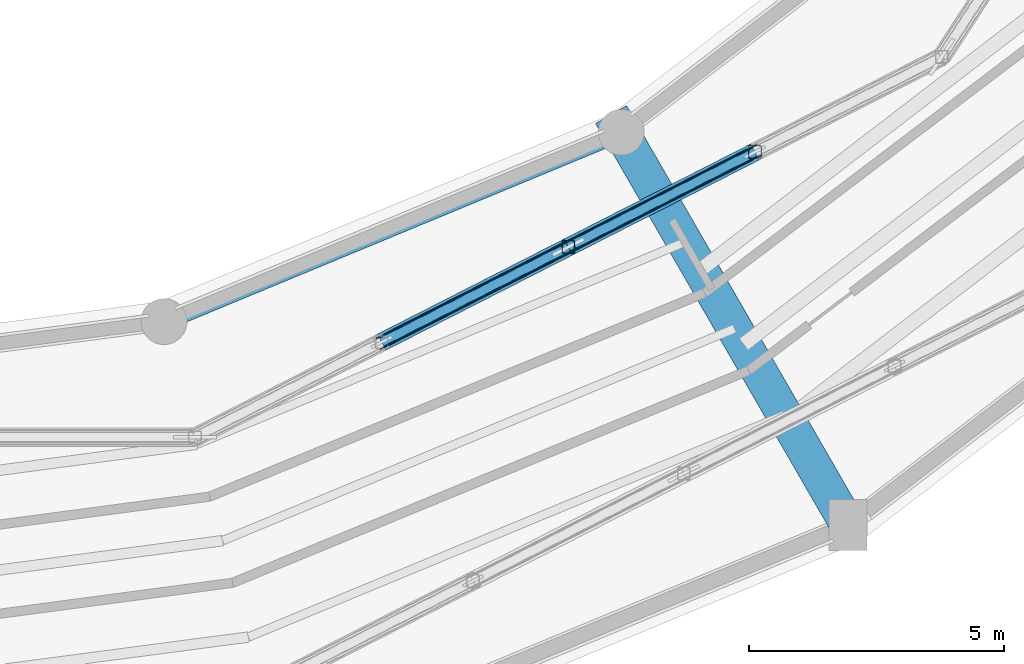
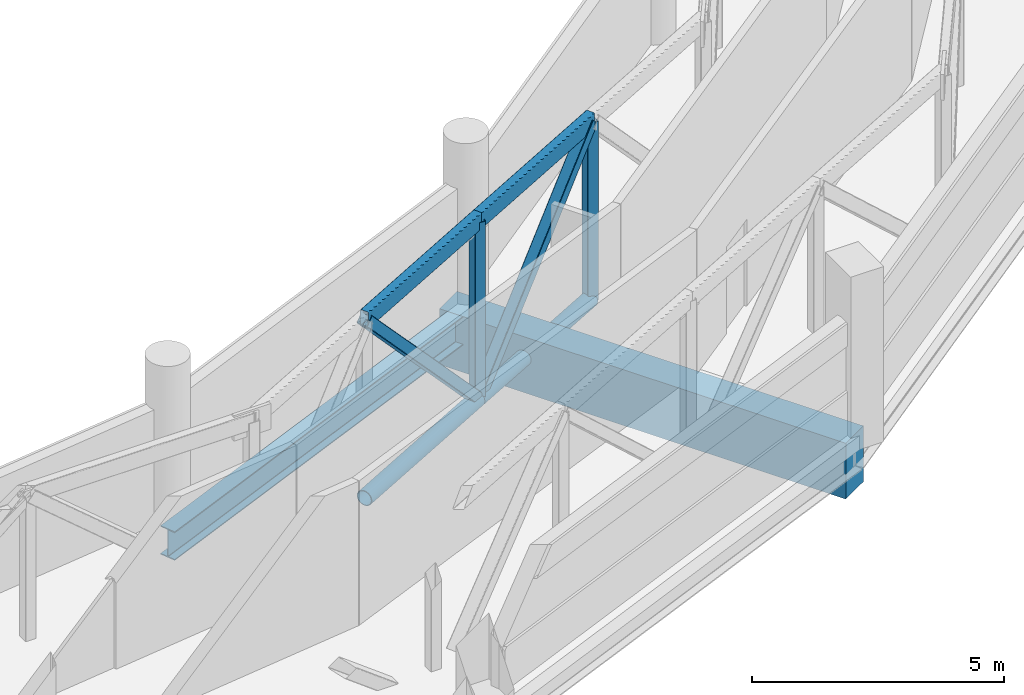
# One storey, part 28 of 121: 8 members, 2 beams.
"""IFC4 building model written with IfcOpenShell, lengths in metres."""

from ifc_helpers import new_model, si_unit, direction, frame, origin, origin_2d, place, context, subcontext, project, spatial, rectangle, hollow_rectangle, hollow_circle, i_section, extrude, material, material_profile, profile_set, type_object, element, save


model = new_model("IFC4")

# Units and contexts
model_context = context("Model", 3, precision=1e-05, world=origin(), true_north=direction((0.0, 1.0)))
body_context = subcontext(model_context, "Body", "Model", "MODEL_VIEW")
ifc_project = project(units=[si_unit("LENGTHUNIT", "METRE"), si_unit("AREAUNIT", "SQUARE_METRE"), si_unit("VOLUMEUNIT", "CUBIC_METRE"), si_unit("PLANEANGLEUNIT", "RADIAN"), si_unit("MASSUNIT", "GRAM", prefix="KILO")], contexts=[model_context])

# Site, building, storey
site_placement = place(None, origin())
site = spatial("IfcSite", under=ifc_project, at=site_placement, CompositionType="ELEMENT")
building_placement = place(site_placement, origin())
building = spatial("IfcBuilding", under=site, at=building_placement, Name="Vespera Passage Community Centre", CompositionType="ELEMENT")
storey_placement = place(building_placement, frame((0.0, 0.0, 8.699951171875)))
storey = spatial("IfcBuildingStorey", under=building, at=storey_placement, Name="L02", CompositionType="ELEMENT", Elevation=8.699951171875)

# Members
ifc_material_1 = material(Name="Steel ASTM A500 Grade C", Category="steel")
ifc_material_profile_1 = material_profile(ifc_material_1, hollow_circle(Radius=0.177734375, WallThickness=0.014892578125, at=origin_2d()), Name="CHS356X15.9")
ifc_profile_set_1 = profile_set([ifc_material_profile_1], Name="Steel ASTM A500 Grade C")
member_type_1 = type_object("IfcMemberType", Name="BC-356", PredefinedType="CHORD", material=ifc_profile_set_1)
for number, where, z_axis, x_axis, name in (
    (1, (91.899658203125, 29.164306640625, -0.849853515625), (0.891016837526, 0.453970258106, 0.0), (-0.453970258106, 0.891016837526, 0.0), "BC-356 Transfer Truss Chord TR4I.2"),
    (2, (95.56298828125, 31.03076171875, -0.849853515625), (0.891016837526, 0.453970258106, 0.0), (-0.453970258106, 0.891016837526, 0.0), "BC-356 Transfer Truss Chord TR4I.3"),
):
    element("IfcMember", number, at=place(storey_placement, frame(where, z_axis=z_axis, x_axis=x_axis)), inside=storey, type_object=member_type_1, Name=name, PredefinedType="CHORD", context=body_context, shape_type="SweptSolid", body=[
        extrude(hollow_circle(Radius=0.177734375, WallThickness=0.014892578125, at=origin_2d()), origin(), (0.0, 0.0, 1.0), 4.111328125),
    ])

# Beam
ifc_material_2 = material(Name="Steel ASTM A992 Grade 50", Category="steel")
ifc_material_profile_2 = material_profile(ifc_material_2, i_section(OverallWidth=0.3544921875, OverallDepth=0.695556640625, WebThickness=0.015380859375, FlangeThickness=0.024658203125, FilletRadius=0.01513671875, at=origin_2d()), Name="W27X146")
ifc_profile_set_2 = profile_set([ifc_material_profile_2], Name="Steel ASTM A992 Grade 50")
beam_type_1 = type_object("IfcBeamType", Name="BM-SP-W27X146E", PredefinedType="SPANDREL", material=ifc_profile_set_2)
beam_1_placement = place(storey_placement, frame((87.628173828125, 29.567626953125, -0.687744140625), z_axis=(0.923878947685, 0.382684844258, 0.0), x_axis=(-0.382684844258, 0.923878947685, 0.0)))
element("IfcBeam", 3, at=beam_1_placement, inside=storey, type_object=beam_type_1, Name="V4 L02 Inner Spandrel 19", PredefinedType="SPANDREL", context=body_context, shape_type="SweptSolid", body=[
    extrude(i_section(OverallWidth=0.3544921875, OverallDepth=0.695556640625, WebThickness=0.015380859375, FlangeThickness=0.024658203125, FilletRadius=0.01513671875, at=origin_2d()), origin(), (0.0, 0.0, 1.0), 9.711181640625),
])

# Members
ifc_material_3 = material(Name="Steel ASTM A500 Grade C", Category="steel")
ifc_material_profile_3 = material_profile(ifc_material_3, hollow_rectangle(XDim=0.203125, YDim=0.406494140625, WallThickness=0.014892578125, InnerFilletRadius=0.014892578125, OuterFilletRadius=0.029541015625, at=origin_2d()), Name="HSS406X203X15.9")
ifc_profile_set_3 = profile_set([ifc_material_profile_3], Name="Steel ASTM A500 Grade C")
member_type_2 = type_object("IfcMemberType", Name="TC-406", PredefinedType="CHORD", material=ifc_profile_set_3)
for number, where, z_axis, x_axis, name in (
    (4, (91.899658203125, 29.164306640625, 3.47998046875), (0.891016837526, 0.453970258106, 0.0), (-0.453970258106, 0.891016837526, 0.0), "TC-406 Transfer Truss Chord TR4I.2"),
    (5, (95.56298828125, 31.03076171875, 3.47998046875), (0.891016837526, 0.453970258106, 0.0), (-0.453970258106, 0.891016837526, 0.0), "TC-406 Transfer Truss Chord TR4I.3"),
):
    element("IfcMember", number, at=place(storey_placement, frame(where, z_axis=z_axis, x_axis=x_axis)), inside=storey, type_object=member_type_2, Name=name, PredefinedType="CHORD", context=body_context, shape_type="SweptSolid", body=[
        extrude(hollow_rectangle(XDim=0.203125, YDim=0.406494140625, WallThickness=0.014892578125, InnerFilletRadius=0.014892578125, OuterFilletRadius=0.029541015625, at=origin_2d()), origin(), (0.0, 0.0, 1.0), 4.111328125),
    ])
ifc_material_4 = material(Name="Steel ASTM A500 Grade C", Category="steel")
ifc_material_profile_4 = material_profile(ifc_material_4, hollow_rectangle(XDim=0.25390625, YDim=0.25390625, WallThickness=0.01171875, InnerFilletRadius=0.01171875, OuterFilletRadius=0.023681640625, at=origin_2d()), Name="HSS254X254X12.7")
ifc_profile_set_4 = profile_set([ifc_material_profile_4], Name="Steel ASTM A500 Grade C")
member_type_3 = type_object("IfcMemberType", Name="TD-254", PredefinedType="BRACE", material=ifc_profile_set_4)
for number, where, z_axis, x_axis, name in (
    (6, (91.899658203125, 29.164306640625, 3.47998046875), (0.613535305972, 0.312594296178, -0.72516152292), (-0.453970258106, 0.891016837526, 0.0), "TD-254 Transfer Truss Diagonal TR4I.2"),
    (7, (95.56298828125, 31.03076171875, -0.849853515625), (0.613535305972, 0.312594296178, 0.72516152292), (-0.453970258106, 0.891016837526, 0.0), "TD-254 Transfer Truss Diagonal TR4I.3"),
):
    element("IfcMember", number, at=place(storey_placement, frame(where, z_axis=z_axis, x_axis=x_axis)), inside=storey, type_object=member_type_3, Name=name, PredefinedType="BRACE", context=body_context, shape_type="SweptSolid", body=[
        extrude(hollow_rectangle(XDim=0.25390625, YDim=0.25390625, WallThickness=0.01171875, InnerFilletRadius=0.01171875, OuterFilletRadius=0.023681640625, at=origin_2d()), origin(), (0.0, 0.0, 1.0), 5.970947265625),
    ])

# Beam
ifc_material_5 = material(Name="Concrete f'c 45 MPa", Category="concrete")
ifc_material_profile_5 = material_profile(ifc_material_5, rectangle(XDim=0.699951171875, YDim=1.35009765625, at=origin_2d()), Name="RC700X1350")
ifc_profile_set_5 = profile_set([ifc_material_profile_5], Name="Concrete f'c 45 MPa")
beam_type_2 = type_object("IfcBeamType", Name="TG-1350", PredefinedType="USERDEFINED", material=ifc_profile_set_5)
beam_2_placement = place(storey_placement, frame((96.39990234375, 33.63037109375, -1.014892578125), z_axis=(0.500004225487, -0.866022964185, 0.0), x_axis=(0.866022964185, 0.500004225487, 0.0)))
element("IfcBeam", 8, at=beam_2_placement, inside=storey, type_object=beam_type_2, Name="V4 L02 Radial Transfer Girder 20", ObjectType="TRANSFER GIRDER", PredefinedType="USERDEFINED", context=body_context, shape_type="SweptSolid", body=[
    extrude(rectangle(XDim=0.699951171875, YDim=1.35009765625, at=origin_2d()), origin(), (0.0, 0.0, 1.0), 9.30029296875),
])

# Members
ifc_material_6 = material(Name="Steel ASTM A500 Grade C", Category="steel")
ifc_material_profile_6 = material_profile(ifc_material_6, hollow_rectangle(XDim=0.25390625, YDim=0.25390625, WallThickness=0.01171875, InnerFilletRadius=0.01171875, OuterFilletRadius=0.023681640625, at=origin_2d()), Name="HSS254X254X12.7")
ifc_profile_set_6 = profile_set([ifc_material_profile_6], Name="Steel ASTM A500 Grade C")
member_type_4 = type_object("IfcMemberType", Name="TP-254", PredefinedType="POST", material=ifc_profile_set_6)
for number, where, z_axis, x_axis, name in (
    (9, (95.56298828125, 31.03076171875, -0.849853515625), (0.0, 0.0, 1.0), (1.0, 0.0, 0.0), "Truss TR4I Vertical Post 3"),
    (10, (99.226318359375, 32.897216796875, -0.849853515625), (0.0, 0.0, 1.0), (1.0, 0.0, 0.0), "Truss TR4I Vertical Post 4"),
):
    element("IfcMember", number, at=place(storey_placement, frame(where, z_axis=z_axis, x_axis=x_axis)), inside=storey, type_object=member_type_4, Name=name, PredefinedType="POST", context=body_context, shape_type="SweptSolid", body=[
        extrude(hollow_rectangle(XDim=0.25390625, YDim=0.25390625, WallThickness=0.01171875, InnerFilletRadius=0.01171875, OuterFilletRadius=0.023681640625, at=origin_2d()), origin(), (0.0, 0.0, 1.0), 4.329833984375),
    ])

save(model, "model.ifc")
